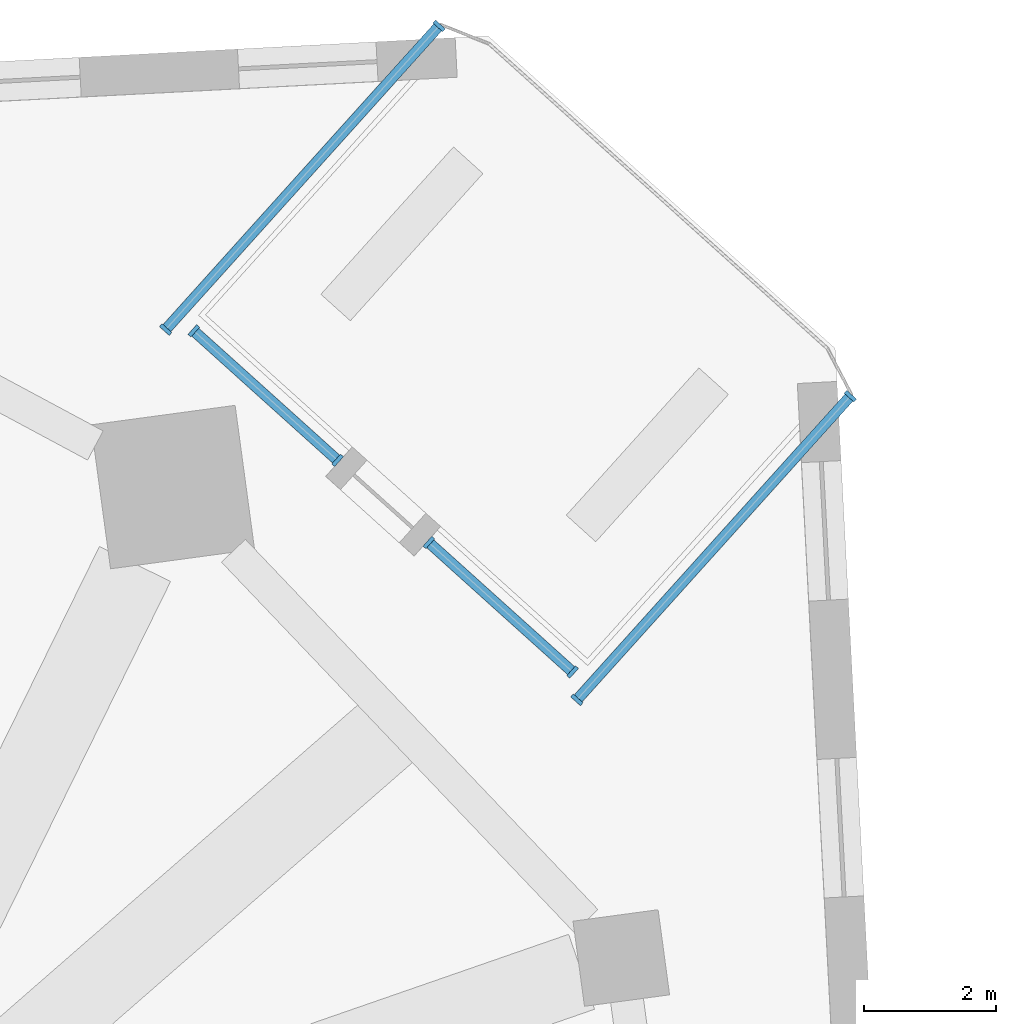
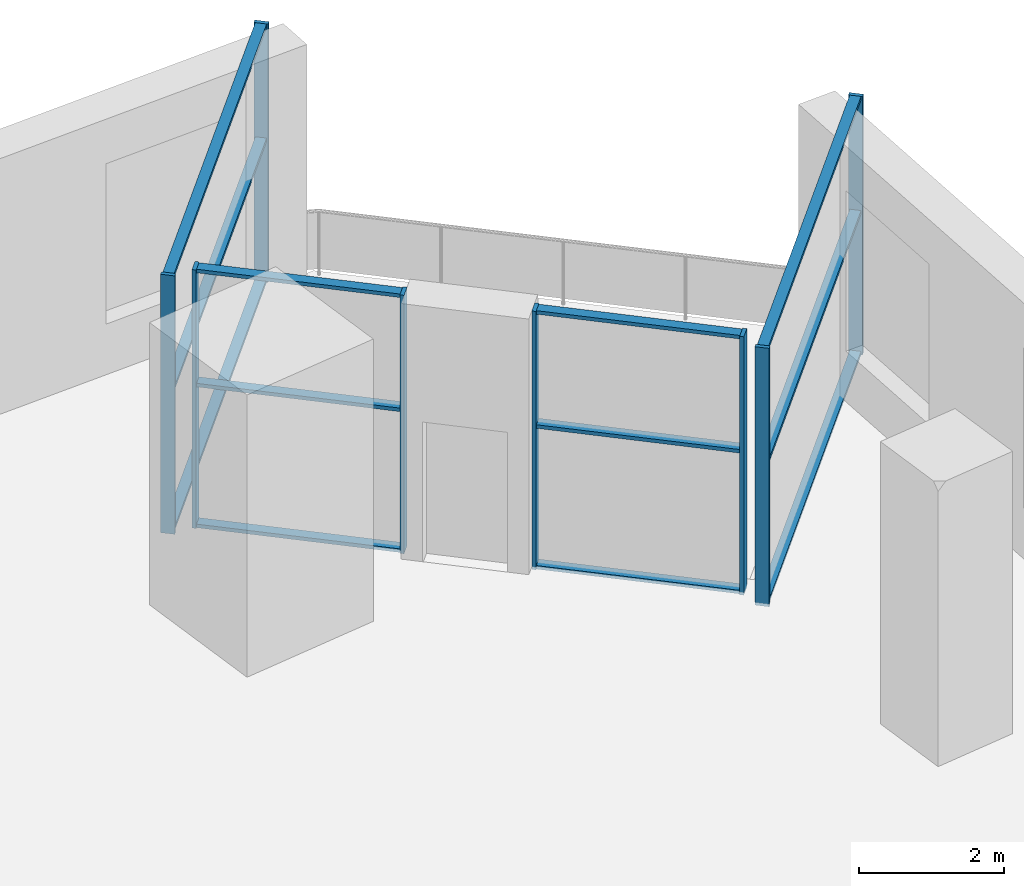
# One storey, part 2 of 10: 20 members, 4 elements without a shape of their own.
"""IFC4 building model written with IfcOpenShell, lengths in metres."""

import ifcopenshell
import ifcopenshell.guid

model = None  # the IFC model being written
_history = None  # IfcOwnerHistory: only IFC2X3 demands one
_inside = {}  # id of a spatial element -> (the spatial element, [elements in it])
_under = {}  # id of a project, library or spatial element -> (it, [spatial elements below it])
_declared = {}  # id of a project -> (the project, [libraries it declares])
_typed = {}  # id of a type object -> (the type object, [elements of that type])
_made_of = {}  # id of a material, layer set ... -> (it, [elements and type objects made of it])


def new_model(schema):
    """Start an empty IFC model of exactly this schema.

    Asked for "IFC4X3", IfcOpenShell would pick the latest addendum, in which some entities
    have other attributes; the version numbers below select the first issue.
    IFC2X3 requires an IfcOwnerHistory on every rooted entity: one is made here for all.
    """
    global model, _history
    if schema == "IFC4X3":
        model = ifcopenshell.file(schema_version=(4, 3, 0, 0))
    else:
        model = ifcopenshell.file(schema=schema)
    _inside.clear()
    _under.clear()
    _declared.clear()
    _typed.clear()
    _made_of.clear()
    _history = None
    if model.schema == "IFC2X3":
        org = make("IfcOrganization", Name="unknown")
        user = make(
            "IfcPersonAndOrganization",
            ThePerson=make("IfcPerson", FamilyName="unknown"),
            TheOrganization=org,
        )
        app = make(
            "IfcApplication",
            ApplicationDeveloper=org,
            Version="unknown",
            ApplicationFullName="unknown",
            ApplicationIdentifier="unknown",
        )
        _history = make(
            "IfcOwnerHistory",
            OwningUser=user,
            OwningApplication=app,
            ChangeAction="ADDED",
            CreationDate=0,
        )
    return model


def make(cls, **values):
    """One entity of the class cls with the attributes given. An attribute that is None is left unset."""
    return model.create_entity(
        cls, **{name: value for name, value in values.items() if value is not None}
    )


def rooted(cls, **values):
    """An entity with a GlobalId (a new one), such as an element, a storey or a relation."""
    return make(cls, GlobalId=ifcopenshell.guid.new(), OwnerHistory=_history, **values)


def si_unit(unit_type, name, prefix=None):
    """IfcSIUnit, for example si_unit("LENGTHUNIT", "METRE", prefix="MILLI")."""
    return make("IfcSIUnit", UnitType=unit_type, Prefix=prefix, Name=name)


def assignment(units):
    """IfcUnitAssignment: the units of a project."""
    return None if units is None else make("IfcUnitAssignment", Units=units)


def point(xyz):
    """IfcCartesianPoint."""
    return None if xyz is None else make("IfcCartesianPoint", Coordinates=xyz)


def direction(xyz):
    """IfcDirection."""
    return None if xyz is None else make("IfcDirection", DirectionRatios=xyz)


def frame(location, z_axis=None, x_axis=None):
    """IfcAxis2Placement3D, a coordinate frame: its origin and axes. An axis left out is left unset."""
    return make(
        "IfcAxis2Placement3D",
        Location=point(location),
        Axis=direction(z_axis),
        RefDirection=direction(x_axis),
    )


def frame_2d(location, x_axis=None):
    """IfcAxis2Placement2D, a coordinate frame in the plane: its origin and x axis."""
    return make(
        "IfcAxis2Placement2D", Location=point(location), RefDirection=direction(x_axis)
    )


def origin():
    """The frame at (0, 0, 0) with its axes left unset."""
    return frame((0.0, 0.0, 0.0))


def origin_2d():
    """The frame at (0, 0) in the plane with its x axis left unset."""
    return frame_2d((0.0, 0.0))


def place(relative_to, where):
    """IfcLocalPlacement: puts the frame where relative to a parent placement (None: the world)."""
    return make(
        "IfcLocalPlacement", PlacementRelTo=relative_to, RelativePlacement=where
    )


def context(
    kind, dimensions, precision=None, world=None, true_north=None, identifier=None
):
    """IfcGeometricRepresentationContext, for example the 3D "Model" context."""
    return make(
        "IfcGeometricRepresentationContext",
        ContextIdentifier=identifier,
        ContextType=kind,
        CoordinateSpaceDimension=dimensions,
        Precision=precision,
        WorldCoordinateSystem=world,
        TrueNorth=true_north,
    )


def subcontext(parent, identifier, kind, view, scale=None):
    """IfcGeometricRepresentationSubContext, for example "Body" below "Model"."""
    return make(
        "IfcGeometricRepresentationSubContext",
        ContextIdentifier=identifier,
        ContextType=kind,
        ParentContext=parent,
        TargetScale=scale,
        TargetView=view,
    )


def project(units=None, contexts=None):
    """IfcProject with its units and contexts."""
    return rooted(
        "IfcProject",
        Name="project",
        RepresentationContexts=contexts,
        UnitsInContext=assignment(units),
    )


def spatial(cls, under=None, at=None, **own):
    """A site, building, storey or space (cls), placed at a placement, below another one or the project."""
    s = rooted(cls, ObjectPlacement=at, **own)
    if under is not None:
        _under.setdefault(under.id(), (under, []))[1].append(s)
    return s


def profile(cls, at=None, kind="AREA", **sizes):
    """A parametric profile (cls). Its sizes go by their IFC names, for example OverallWidth=200.0."""
    return make(cls, ProfileType=kind, Position=at, **sizes)


def rectangle(**sizes):
    """IfcRectangleProfileDef."""
    return profile("IfcRectangleProfileDef", **sizes)


def extrude(swept, where, along, depth):
    """IfcExtrudedAreaSolid: the profile swept, set in the frame where, extruded along a direction by depth."""
    return make(
        "IfcExtrudedAreaSolid",
        SweptArea=swept,
        Position=where,
        ExtrudedDirection=direction(along),
        Depth=depth,
    )


def shape(context_of_items, identifier, shape_type, items):
    """IfcShapeRepresentation: the items that make up one representation, for example the "Body"."""
    return make(
        "IfcShapeRepresentation",
        ContextOfItems=context_of_items,
        RepresentationIdentifier=identifier,
        RepresentationType=shape_type,
        Items=items,
    )


def material(Name=None, Category=None):
    """IfcMaterial."""
    return make("IfcMaterial", Name=Name, Category=Category)


def material_profile(
    of_material, cross_section, Name=None, Category=None, Priority=None
):
    """IfcMaterialProfile: a cross section and its material."""
    return make(
        "IfcMaterialProfile",
        Name=Name,
        Material=of_material,
        Profile=cross_section,
        Priority=Priority,
        Category=Category,
    )


def profile_set(profiles, Name=None, composite=None):
    """IfcMaterialProfileSet."""
    return make(
        "IfcMaterialProfileSet",
        Name=Name,
        MaterialProfiles=profiles,
        CompositeProfile=composite,
    )


def made_of(thing, what):
    """Note that an element or type object is made of a material, layer set ...; save() writes the relation."""
    if what is not None:
        _made_of.setdefault(what.id(), (what, []))[1].append(thing)
    return thing


def type_object(cls, material=None, **own):
    """A type object (cls), such as IfcWallType, which elements share."""
    return made_of(rooted(cls, **own), material)


def element(
    cls,
    number,
    at=None,
    inside=None,
    cuts=None,
    type_object=None,
    material=None,
    context=None,
    identifier="Body",
    shape_type=None,
    held_by="IfcProductDefinitionShape",
    body=None,
    shapes=None,
    **own,
):
    """One element of the class cls, such as IfcWall. Its Tag is "e" and its number.

    at: its placement. inside: the storey or other place that contains it. cuts: it is an
    opening in that element (IfcRelVoidsElement). A single representation is given by context,
    identifier, shape_type and body (its items); several are given by shapes. held_by: the class
    of the entity that holds the representations. save() writes the other relations.
    """
    e = rooted(cls, Tag="e%d" % number, ObjectPlacement=at, **own)
    if body is not None:
        shapes = [shape(context, identifier, shape_type, body)]
    if shapes is not None:
        e.Representation = make(held_by, Representations=shapes)
    if inside is not None:
        _inside.setdefault(inside.id(), (inside, []))[1].append(e)
    if cuts is not None:
        rooted(
            "IfcRelVoidsElement", RelatingBuildingElement=cuts, RelatedOpeningElement=e
        )
    if type_object is not None:
        _typed.setdefault(type_object.id(), (type_object, []))[1].append(e)
    return made_of(e, material)


def aggregate(whole, parts):
    """IfcRelAggregates: a whole, such as a stair, and the parts it consists of."""
    return rooted("IfcRelAggregates", RelatingObject=whole, RelatedObjects=parts)


def save(model, path):
    """Write the relations noted so far, then the file.

    IfcRelAggregates (storeys below a building ...), IfcRelContainedInSpatialStructure (elements
    in a storey), IfcRelDefinesByType, IfcRelAssociatesMaterial and IfcRelDeclares: one each for
    every whole, place, type object, material and project.
    """
    for whole, parts in _under.values():
        aggregate(whole, parts)
    for where, things in _inside.values():
        rooted(
            "IfcRelContainedInSpatialStructure",
            RelatedElements=things,
            RelatingStructure=where,
        )
    for kind, things in _typed.values():
        rooted("IfcRelDefinesByType", RelatedObjects=things, RelatingType=kind)
    for what, things in _made_of.values():
        rooted("IfcRelAssociatesMaterial", RelatedObjects=things, RelatingMaterial=what)
    for by, libraries in _declared.values():
        rooted("IfcRelDeclares", RelatingContext=by, RelatedDefinitions=libraries)
    model.write(path)


model = new_model("IFC4")

# Units and contexts
model_context = context("Model", 3, precision=1e-05, world=origin(), true_north=direction((0.0, 1.0)))
body_context = subcontext(model_context, "Body", "Model", "MODEL_VIEW")
ifc_project = project(units=[si_unit("LENGTHUNIT", "METRE"), si_unit("AREAUNIT", "SQUARE_METRE"), si_unit("VOLUMEUNIT", "CUBIC_METRE"), si_unit("PLANEANGLEUNIT", "RADIAN"), si_unit("MASSUNIT", "GRAM", prefix="KILO")], contexts=[model_context])

# Site, building, storey
site_placement = place(None, origin())
site = spatial("IfcSite", under=ifc_project, at=site_placement, CompositionType="ELEMENT")
building_placement = place(site_placement, origin())
building = spatial("IfcBuilding", under=site, at=building_placement, Name="Dilmun Exchange Tower", CompositionType="ELEMENT")
storey_placement = place(building_placement, frame((0.0, 0.0, 27.300048828125)))
storey = spatial("IfcBuildingStorey", under=building, at=storey_placement, Name="L06", CompositionType="ELEMENT", Elevation=27.300048828125)

# Curtain wall, members
ifc_material_1 = material(Name="Anodised aluminium and clear glass", Category="aluminium")
curtain_wall_type = type_object("IfcCurtainWallType", Name="Garden corner glazing", PredefinedType="NOTDEFINED", material=ifc_material_1)
curtain_wall_1_placement = place(storey_placement, origin())
curtain_wall_1 = element("IfcCurtainWall", 1, at=curtain_wall_1_placement, inside=storey, type_object=curtain_wall_type, Name="Garden corner glazing run GC1.1", PredefinedType="NOTDEFINED")
ifc_material_2 = material(Name="Anodised aluminium", Category="aluminium")
ifc_material_profile_1 = material_profile(ifc_material_2, rectangle(XDim=0.199951171875, YDim=0.06005859375, at=origin_2d()), Name="AL 60x200")
ifc_profile_set_1 = profile_set([ifc_material_profile_1], Name="Anodised aluminium")
member_type_1 = type_object("IfcMemberType", Name="Garden corner glazing mullion 60 x 200", PredefinedType="MULLION", material=ifc_profile_set_1)
member_1_placement = place(storey_placement, frame((28.879638671875, 25.8134765625, 0.0), z_axis=(0.0, 0.0, 1.0), x_axis=(0.743150048737, -0.669124805296, 0.0)))
member_1 = element("IfcMember", 2, at=member_1_placement, type_object=member_type_1, Name="GC1.1 mullion 1", PredefinedType="MULLION", context=body_context, shape_type="SweptSolid", body=[
    extrude(rectangle(XDim=0.199951171875, YDim=0.06005859375, at=origin_2d()), origin(), (0.0, 0.0, 1.0), 4.349853515625),
])
member_2_placement = place(storey_placement, frame((24.739990234375, 21.216064453125, 0.0), z_axis=(0.0, 0.0, 1.0), x_axis=(0.743150048737, -0.669124805296, 0.0)))
member_2 = element("IfcMember", 3, at=member_2_placement, type_object=member_type_1, Name="GC1.1 mullion 2", PredefinedType="MULLION", context=body_context, shape_type="SweptSolid", body=[
    extrude(rectangle(XDim=0.199951171875, YDim=0.06005859375, at=origin_2d()), origin(), (0.0, 0.0, 1.0), 4.349853515625),
])

curtain_wall_2_placement = place(storey_placement, origin())
curtain_wall_2 = element("IfcCurtainWall", 4, at=curtain_wall_2_placement, inside=storey, type_object=curtain_wall_type, Name="Garden corner glazing run GC2.1", PredefinedType="NOTDEFINED")
member_3_placement = place(storey_placement, frame((24.67529296875, 21.637451171875, 0.0), z_axis=(0.0, 0.0, 1.0), x_axis=(-0.669136610404, -0.743139419367, 0.0)))
member_3 = element("IfcMember", 5, at=member_3_placement, type_object=member_type_1, Name="GC2.1 mullion 1", PredefinedType="MULLION", context=body_context, shape_type="SweptSolid", body=[
    extrude(rectangle(XDim=0.199951171875, YDim=0.06005859375, at=origin_2d()), origin(), (0.0, 0.0, 1.0), 4.349853515625),
])
member_4_placement = place(storey_placement, frame((22.498779296875, 23.597412109375, 0.0), z_axis=(0.0, 0.0, 1.0), x_axis=(-0.669136610404, -0.743139419367, 0.0)))
member_4 = element("IfcMember", 6, at=member_4_placement, type_object=member_type_1, Name="GC2.1 mullion 2", PredefinedType="MULLION", context=body_context, shape_type="SweptSolid", body=[
    extrude(rectangle(XDim=0.199951171875, YDim=0.06005859375, at=origin_2d()), origin(), (0.0, 0.0, 1.0), 4.349853515625),
])

curtain_wall_3_placement = place(storey_placement, origin())
curtain_wall_3 = element("IfcCurtainWall", 7, at=curtain_wall_3_placement, inside=storey, type_object=curtain_wall_type, Name="Garden corner glazing run GC2.3", PredefinedType="NOTDEFINED")
member_5_placement = place(storey_placement, frame((21.116455078125, 24.842041015625, 0.0), z_axis=(0.0, 0.0, 1.0), x_axis=(-0.669118133962, -0.743156055484, 0.0)))
member_5 = element("IfcMember", 8, at=member_5_placement, type_object=member_type_1, Name="GC2.3 mullion 1", PredefinedType="MULLION", context=body_context, shape_type="SweptSolid", body=[
    extrude(rectangle(XDim=0.199951171875, YDim=0.06005859375, at=origin_2d()), origin(), (0.0, 0.0, 1.0), 4.349853515625),
])
member_6_placement = place(storey_placement, frame((18.939697265625, 26.802001953125, 0.0), z_axis=(0.0, 0.0, 1.0), x_axis=(-0.669118133962, -0.743156055484, 0.0)))
member_6 = element("IfcMember", 9, at=member_6_placement, type_object=member_type_1, Name="GC2.3 mullion 2", PredefinedType="MULLION", context=body_context, shape_type="SweptSolid", body=[
    extrude(rectangle(XDim=0.199951171875, YDim=0.06005859375, at=origin_2d()), origin(), (0.0, 0.0, 1.0), 4.349853515625),
])

curtain_wall_4_placement = place(storey_placement, origin())
curtain_wall_4 = element("IfcCurtainWall", 10, at=curtain_wall_4_placement, inside=storey, type_object=curtain_wall_type, Name="Garden corner glazing run GC3.1", PredefinedType="NOTDEFINED")
member_7_placement = place(storey_placement, frame((18.513671875, 26.822021484375, 0.0), z_axis=(0.0, 0.0, 1.0), x_axis=(-0.743150048737, 0.669124805296, 0.0)))
member_7 = element("IfcMember", 11, at=member_7_placement, type_object=member_type_1, Name="GC3.1 mullion 1", PredefinedType="MULLION", context=body_context, shape_type="SweptSolid", body=[
    extrude(rectangle(XDim=0.199951171875, YDim=0.06005859375, at=origin_2d()), origin(), (0.0, 0.0, 1.0), 4.349853515625),
])
member_8_placement = place(storey_placement, frame((22.6533203125, 31.419677734375, 0.0), z_axis=(0.0, 0.0, 1.0), x_axis=(-0.743150048737, 0.669124805296, 0.0)))
member_8 = element("IfcMember", 12, at=member_8_placement, type_object=member_type_1, Name="GC3.1 mullion 2", PredefinedType="MULLION", context=body_context, shape_type="SweptSolid", body=[
    extrude(rectangle(XDim=0.199951171875, YDim=0.06005859375, at=origin_2d()), origin(), (0.0, 0.0, 1.0), 4.349853515625),
])

# Member
ifc_material_profile_2 = material_profile(ifc_material_2, rectangle(XDim=0.159912109375, YDim=0.06005859375, at=origin_2d()), Name="AL 60x160")
ifc_profile_set_2 = profile_set([ifc_material_profile_2], Name="Anodised aluminium")
member_type_2 = type_object("IfcMemberType", Name="Garden corner glazing transom 60 x 160", PredefinedType="USERDEFINED", material=ifc_profile_set_2)
member_9_placement = place(storey_placement, frame((28.859375, 25.791259765625, 0.030029296875), z_axis=(-0.669116630944, -0.743157408759, 0.0), x_axis=(0.743157408759, -0.669116630944, 0.0)))
member_9 = element("IfcMember", 13, at=member_9_placement, type_object=member_type_2, Name="GC1.1 transom 1.1", ObjectType="TRANSOM", PredefinedType="USERDEFINED", context=body_context, shape_type="SweptSolid", body=[
    extrude(rectangle(XDim=0.159912109375, YDim=0.06005859375, at=origin_2d()), origin(), (0.0, 0.0, 1.0), 6.12646484375),
])

member_10_placement = place(storey_placement, frame((28.859375, 25.791259765625, 2.39990234375), z_axis=(-0.669116630944, -0.743157408759, 0.0), x_axis=(0.743157408759, -0.669116630944, 0.0)))
member_10 = element("IfcMember", 14, at=member_10_placement, type_object=member_type_2, Name="GC1.1 transom 1.2", ObjectType="TRANSOM", PredefinedType="USERDEFINED", context=body_context, shape_type="SweptSolid", body=[
    extrude(rectangle(XDim=0.159912109375, YDim=0.06005859375, at=origin_2d()), origin(), (0.0, 0.0, 1.0), 6.12646484375),
])

member_11_placement = place(storey_placement, frame((28.859375, 25.791259765625, 4.320068359375), z_axis=(-0.669116630944, -0.743157408759, 0.0), x_axis=(0.743157408759, -0.669116630944, 0.0)))
member_11 = element("IfcMember", 15, at=member_11_placement, type_object=member_type_2, Name="GC1.1 transom 1.3", ObjectType="TRANSOM", PredefinedType="USERDEFINED", context=body_context, shape_type="SweptSolid", body=[
    extrude(rectangle(XDim=0.159912109375, YDim=0.06005859375, at=origin_2d()), origin(), (0.0, 0.0, 1.0), 6.12646484375),
])

aggregate(curtain_wall_1, [member_1, member_2, member_9, member_10, member_11])

member_12_placement = place(storey_placement, frame((24.653076171875, 21.657470703125, 0.030029296875), z_axis=(-0.743112180802, 0.669166860166, 0.0), x_axis=(-0.669166860166, -0.743112180802, 0.0)))
member_12 = element("IfcMember", 16, at=member_12_placement, type_object=member_type_2, Name="GC2.1 transom 1.1", ObjectType="TRANSOM", PredefinedType="USERDEFINED", context=body_context, shape_type="SweptSolid", body=[
    extrude(rectangle(XDim=0.159912109375, YDim=0.06005859375, at=origin_2d()), origin(), (0.0, 0.0, 1.0), 2.869140625),
])

member_13_placement = place(storey_placement, frame((24.653076171875, 21.657470703125, 2.39990234375), z_axis=(-0.743112180802, 0.669166860166, 0.0), x_axis=(-0.669166860166, -0.743112180802, 0.0)))
member_13 = element("IfcMember", 17, at=member_13_placement, type_object=member_type_2, Name="GC2.1 transom 1.2", ObjectType="TRANSOM", PredefinedType="USERDEFINED", context=body_context, shape_type="SweptSolid", body=[
    extrude(rectangle(XDim=0.159912109375, YDim=0.06005859375, at=origin_2d()), origin(), (0.0, 0.0, 1.0), 2.869140625),
])

member_14_placement = place(storey_placement, frame((24.653076171875, 21.657470703125, 4.320068359375), z_axis=(-0.743112180802, 0.669166860166, 0.0), x_axis=(-0.669166860166, -0.743112180802, 0.0)))
member_14 = element("IfcMember", 18, at=member_14_placement, type_object=member_type_2, Name="GC2.1 transom 1.3", ObjectType="TRANSOM", PredefinedType="USERDEFINED", context=body_context, shape_type="SweptSolid", body=[
    extrude(rectangle(XDim=0.159912109375, YDim=0.06005859375, at=origin_2d()), origin(), (0.0, 0.0, 1.0), 2.869140625),
])

aggregate(curtain_wall_2, [member_3, member_4, member_12, member_13, member_14])

member_15_placement = place(storey_placement, frame((21.093994140625, 24.862060546875, 0.030029296875), z_axis=(-0.743154495301, 0.669119866776, 0.0), x_axis=(-0.669119866776, -0.743154495301, 0.0)))
member_15 = element("IfcMember", 19, at=member_15_placement, type_object=member_type_2, Name="GC2.3 transom 1.1", ObjectType="TRANSOM", PredefinedType="USERDEFINED", context=body_context, shape_type="SweptSolid", body=[
    extrude(rectangle(XDim=0.159912109375, YDim=0.06005859375, at=origin_2d()), origin(), (0.0, 0.0, 1.0), 2.868896484375),
])

member_16_placement = place(storey_placement, frame((21.093994140625, 24.862060546875, 2.39990234375), z_axis=(-0.743154495301, 0.669119866776, 0.0), x_axis=(-0.669119866776, -0.743154495301, 0.0)))
member_16 = element("IfcMember", 20, at=member_16_placement, type_object=member_type_2, Name="GC2.3 transom 1.2", ObjectType="TRANSOM", PredefinedType="USERDEFINED", context=body_context, shape_type="SweptSolid", body=[
    extrude(rectangle(XDim=0.159912109375, YDim=0.06005859375, at=origin_2d()), origin(), (0.0, 0.0, 1.0), 2.868896484375),
])

member_17_placement = place(storey_placement, frame((21.093994140625, 24.862060546875, 4.320068359375), z_axis=(-0.743154495301, 0.669119866776, 0.0), x_axis=(-0.669119866776, -0.743154495301, 0.0)))
member_17 = element("IfcMember", 21, at=member_17_placement, type_object=member_type_2, Name="GC2.3 transom 1.3", ObjectType="TRANSOM", PredefinedType="USERDEFINED", context=body_context, shape_type="SweptSolid", body=[
    extrude(rectangle(XDim=0.159912109375, YDim=0.06005859375, at=origin_2d()), origin(), (0.0, 0.0, 1.0), 2.868896484375),
])

aggregate(curtain_wall_3, [member_5, member_6, member_15, member_16, member_17])

member_18_placement = place(storey_placement, frame((18.533935546875, 26.844482421875, 0.030029296875), z_axis=(0.669136446924, 0.743139566568, 0.0), x_axis=(-0.743139566568, 0.669136446924, 0.0)))
member_18 = element("IfcMember", 22, at=member_18_placement, type_object=member_type_2, Name="GC3.1 transom 1.1", ObjectType="TRANSOM", PredefinedType="USERDEFINED", context=body_context, shape_type="SweptSolid", body=[
    extrude(rectangle(XDim=0.159912109375, YDim=0.06005859375, at=origin_2d()), origin(), (0.0, 0.0, 1.0), 6.12646484375),
])

member_19_placement = place(storey_placement, frame((18.533935546875, 26.844482421875, 2.39990234375), z_axis=(0.669136446924, 0.743139566568, 0.0), x_axis=(-0.743139566568, 0.669136446924, 0.0)))
member_19 = element("IfcMember", 23, at=member_19_placement, type_object=member_type_2, Name="GC3.1 transom 1.2", ObjectType="TRANSOM", PredefinedType="USERDEFINED", context=body_context, shape_type="SweptSolid", body=[
    extrude(rectangle(XDim=0.159912109375, YDim=0.06005859375, at=origin_2d()), origin(), (0.0, 0.0, 1.0), 6.12646484375),
])

member_20_placement = place(storey_placement, frame((18.533935546875, 26.844482421875, 4.320068359375), z_axis=(0.669136446924, 0.743139566568, 0.0), x_axis=(-0.743139566568, 0.669136446924, 0.0)))
member_20 = element("IfcMember", 24, at=member_20_placement, type_object=member_type_2, Name="GC3.1 transom 1.3", ObjectType="TRANSOM", PredefinedType="USERDEFINED", context=body_context, shape_type="SweptSolid", body=[
    extrude(rectangle(XDim=0.159912109375, YDim=0.06005859375, at=origin_2d()), origin(), (0.0, 0.0, 1.0), 6.12646484375),
])

aggregate(curtain_wall_4, [member_7, member_8, member_18, member_19, member_20])

save(model, "model.ifc")
